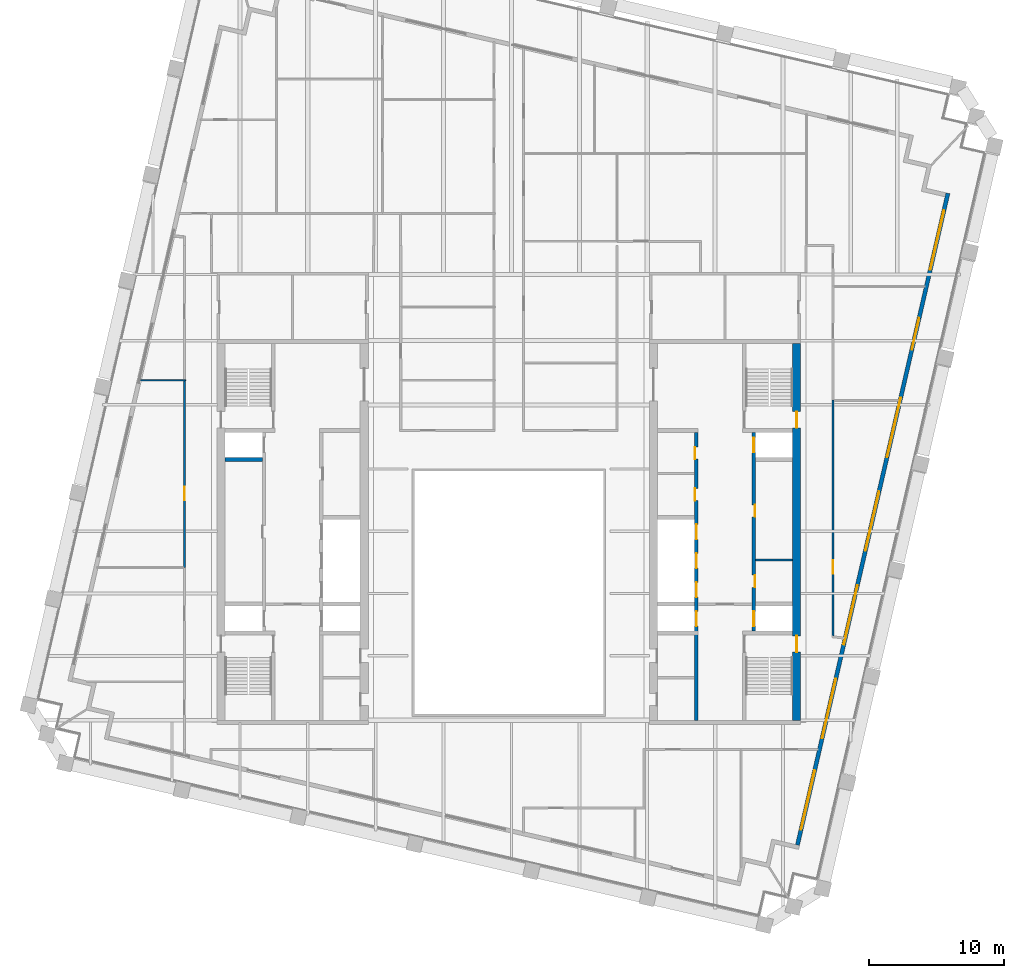
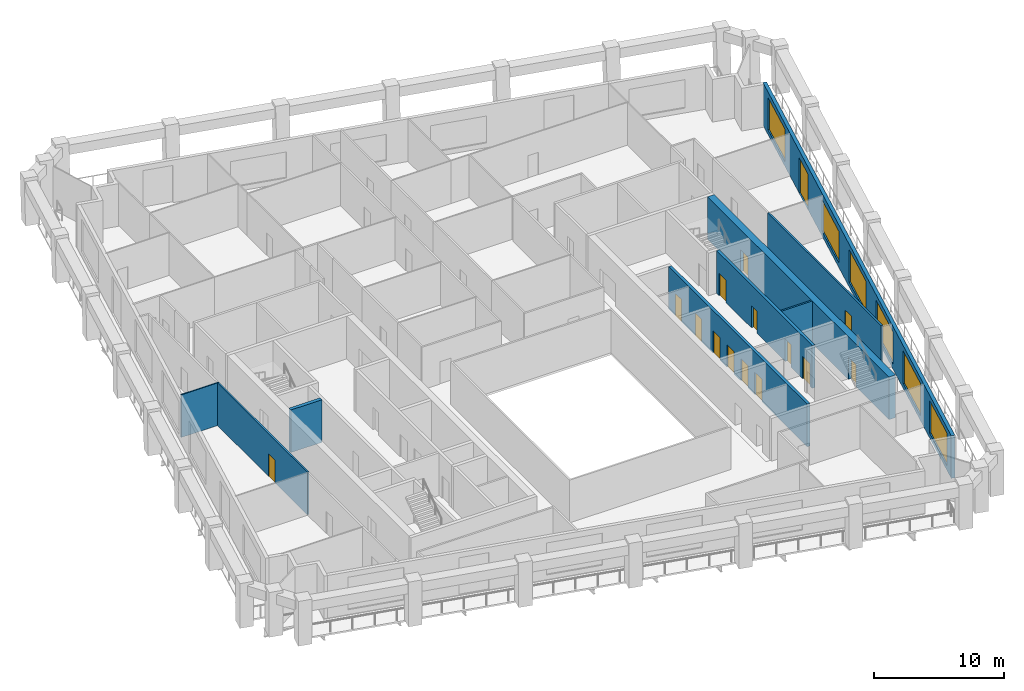
# One storey, part 6 of 10: 15 doors, 9 walls, 6 windows, 21 openings.
"""IFC4 building model written with IfcOpenShell, lengths in metres."""

from ifc_helpers import new_model, si_unit, direction, frame, frame_2d, origin, place, context, subcontext, project, spatial, rectangle, extrude, material, layer, layer_set, type_object, element, fill, save


model = new_model("IFC4")

# Units and contexts
model_context = context("Model", 3, precision=1e-05, world=origin(), true_north=direction((0.0, 1.0)))
body_context = subcontext(model_context, "Body", "Model", "MODEL_VIEW")
ifc_project = project(units=[si_unit("LENGTHUNIT", "METRE"), si_unit("AREAUNIT", "SQUARE_METRE"), si_unit("VOLUMEUNIT", "CUBIC_METRE"), si_unit("PLANEANGLEUNIT", "RADIAN"), si_unit("MASSUNIT", "GRAM", prefix="KILO")], contexts=[model_context])

# Site, building, storey
site_placement = place(None, origin())
site = spatial("IfcSite", under=ifc_project, at=site_placement, CompositionType="ELEMENT")
building_placement = place(site_placement, origin())
building = spatial("IfcBuilding", under=site, at=building_placement, Name="Ogive Exchange Tower", CompositionType="ELEMENT")
storey_placement = place(building_placement, frame((0.0, 0.0, 255.60009765625)))
storey = spatial("IfcBuildingStorey", under=building, at=storey_placement, Name="L55", CompositionType="ELEMENT", Elevation=255.60009765625)

# Wall
ifc_material_1 = material(Name="Gypsum board partition")
ifc_layer_1 = layer(ifc_material_1, 0.14990234375)
ifc_layer_set_1 = layer_set([ifc_layer_1], Name="Core room partition 150 gypsum")
wall_type_1 = type_object("IfcWallType", Name="Core room partition 150 gypsum", PredefinedType="PARTITIONING", material=ifc_layer_set_1)
wall_1_placement = place(storey_placement, frame((18.25, 9.39990234375, 0.0), z_axis=(0.0, 0.0, 1.0), x_axis=(1.0, 0.0, 0.0)))
element("IfcWall", 1, at=wall_1_placement, inside=storey, type_object=wall_type_1, Name="E row A bay partition 1-1", PredefinedType="PARTITIONING", context=body_context, shape_type="SweptSolid", body=[
    extrude(rectangle(XDim=2.75, YDim=0.14990234375, at=frame_2d((1.375, 0.0))), origin(), (0.0, 0.0, 1.0), 4.0),
])

# Wall, opening, door
ifc_material_2 = material(Name="Fire partition EI 60 150")
ifc_layer_2 = layer(ifc_material_2, 0.14990234375)
ifc_layer_set_2 = layer_set([ifc_layer_2], Name="Fire partition EI 60 150")
wall_type_2 = type_object("IfcWallType", Name="Fire partition EI 60 150", PredefinedType="PARTITIONING", material=ifc_layer_set_2)
wall_2_placement = place(storey_placement, frame((-24.0, 8.860107421875, 0.0), z_axis=(0.0, 0.0, 1.0), x_axis=(0.0, 1.0, 0.0)))
wall_2 = element("IfcWall", 2, at=wall_2_placement, inside=storey, type_object=wall_type_2, Name="L55-PWL-007", PredefinedType="PARTITIONING", context=body_context, shape_type="SweptSolid", body=[
    extrude(rectangle(XDim=13.809814453125, YDim=0.14990234375, at=frame_2d((6.90478515625, 0.0))), origin(), (0.0, 0.0, 1.0), 4.0),
])
opening_1_placement = place(wall_2_placement, frame((4.9599609375, 0.0, 0.0)))
opening_1 = element("IfcOpeningElement", 3, at=opening_1_placement, cuts=wall_2, Name="Opening L55-I01", PredefinedType="OPENING", context=body_context, shape_type="SweptSolid", body=[
    extrude(rectangle(XDim=1.0, YDim=2.10009765625, at=frame_2d((0.5, 1.050048828125))), frame((0.0, 0.0849609375, 0.0), z_axis=(0.0, -1.0, 0.0), x_axis=(1.0, 0.0, 0.0)), (0.0, 0.0, 1.0), 0.169921875),
])
ifc_material_3 = material(Name="Fire door FD 30S 1000 x 2100")
door_type_1 = type_object("IfcDoorType", Name="Fire door FD 30S 1000 x 2100", OperationType="NOTDEFINED", PredefinedType="DOOR", material=ifc_material_3)
door_1_placement = place(opening_1_placement, origin())
door_1 = element("IfcDoor", 4, at=door_1_placement, inside=storey, type_object=door_type_1, Name="L55-IDR-001", ObjectType="DT3", OperationType="SINGLE_SWING_RIGHT", OverallHeight=2.10009765625, OverallWidth=1.0, PredefinedType="DOOR", context=body_context, shape_type="SweptSolid", body=[
    extrude(rectangle(XDim=1.0, YDim=2.10009765625, at=frame_2d((0.5, 1.050048828125))), frame((0.0, 0.02490234375, 0.0), z_axis=(0.0, -1.0, 0.0), x_axis=(1.0, 0.0, 0.0)), (0.0, 0.0, 1.0), 0.050048828125),
])
fill(opening_1, door_1)

wall_3_placement = place(storey_placement, frame((24.0, 21.260009765625, 0.0), z_axis=(0.0, 0.0, 1.0), x_axis=(0.0, -1.0, 0.0)))
wall_3 = element("IfcWall", 5, at=wall_3_placement, inside=storey, type_object=wall_type_2, Name="L55-PWL-074", PredefinedType="PARTITIONING", context=body_context, shape_type="SweptSolid", body=[
    extrude(rectangle(XDim=17.455078125, YDim=0.14990234375, at=frame_2d((8.7275390625, 0.0))), origin(), (0.0, 0.0, 1.0), 4.0),
])
opening_2_placement = place(wall_3_placement, frame((11.8798828125, 0.0, 0.0)))
opening_2 = element("IfcOpeningElement", 6, at=opening_2_placement, cuts=wall_3, Name="Opening L55-I22", PredefinedType="OPENING", context=body_context, shape_type="SweptSolid", body=[
    extrude(rectangle(XDim=1.0, YDim=2.10009765625, at=frame_2d((0.5, 1.050048828125))), frame((0.0, 0.0849609375, 0.0), z_axis=(0.0, -1.0, 0.0), x_axis=(1.0, 0.0, 0.0)), (0.0, 0.0, 1.0), 0.169921875),
])
door_2_placement = place(opening_2_placement, origin())
door_2 = element("IfcDoor", 7, at=door_2_placement, inside=storey, type_object=door_type_1, Name="L55-IDR-022", ObjectType="DT3", OperationType="SINGLE_SWING_RIGHT", OverallHeight=2.10009765625, OverallWidth=1.0, PredefinedType="DOOR", context=body_context, shape_type="SweptSolid", body=[
    extrude(rectangle(XDim=1.0, YDim=2.10009765625, at=frame_2d((0.5, 1.050048828125))), frame((0.0, 0.02490234375, 0.0), z_axis=(0.0, -1.0, 0.0), x_axis=(1.0, 0.0, 0.0)), (0.0, 0.0, 1.0), 0.050048828125),
])
fill(opening_2, door_2)

# Wall, openings, door, windows
ifc_material_4 = material(Name="Precast concrete C40/50", Category="concrete")
ifc_layer_3 = layer(ifc_material_4, 0.300048828125)
ifc_layer_set_3 = layer_set([ifc_layer_3], Name="Limestone-faced wall 300")
wall_type_3 = type_object("IfcWallType", Name="Limestone-faced wall 300", PredefinedType="STANDARD", material=ifc_layer_set_3)
wall_4_placement = place(storey_placement, frame((21.35888671875, -11.67822265625, 0.0), z_axis=(0.0, 0.0, 1.0), x_axis=(0.224949198343, 0.974370493275, 0.0)))
wall_4 = element("IfcWall", 8, at=wall_4_placement, inside=storey, type_object=wall_type_3, Name="External wall E2", PredefinedType="STANDARD", context=body_context, shape_type="SweptSolid", body=[
    extrude(rectangle(XDim=49.5, YDim=0.300048828125, at=frame_2d((24.75, 0.0))), origin(), (0.0, 0.0, 1.0), 4.0),
])
opening_3_placement = place(wall_4_placement, frame((1.156982421875, 0.0, 0.449951171875)))
opening_3 = element("IfcOpeningElement", 9, at=opening_3_placement, cuts=wall_4, Name="Opening W1", PredefinedType="OPENING", context=body_context, shape_type="SweptSolid", body=[
    extrude(rectangle(XDim=4.5, YDim=3.050048828125, at=frame_2d((2.25, 1.52490234375))), frame((0.0, 0.159912109375, 0.0), z_axis=(0.0, -1.0, 0.0), x_axis=(1.0, 0.0, 0.0)), (0.0, 0.0, 1.0), 0.320068359375),
])
opening_4_placement = place(wall_4_placement, frame((8.121337890625, 0.0, 0.449951171875)))
opening_4 = element("IfcOpeningElement", 10, at=opening_4_placement, cuts=wall_4, Name="Opening W1", PredefinedType="OPENING", context=body_context, shape_type="SweptSolid", body=[
    extrude(rectangle(XDim=4.5, YDim=3.050048828125, at=frame_2d((2.25, 1.52490234375))), frame((0.0, 0.159912109375, 0.0), z_axis=(0.0, -1.0, 0.0), x_axis=(1.0, 0.0, 0.0)), (0.0, 0.0, 1.0), 0.320068359375),
])
opening_5_placement = place(wall_4_placement, frame((15.235595703125, 0.0, 0.449951171875)))
opening_5 = element("IfcOpeningElement", 11, at=opening_5_placement, cuts=wall_4, Name="Opening W1", PredefinedType="OPENING", context=body_context, shape_type="SweptSolid", body=[
    extrude(rectangle(XDim=4.5, YDim=3.050048828125, at=frame_2d((2.25, 1.52490234375))), frame((0.0, 0.159912109375, 0.0), z_axis=(0.0, -1.0, 0.0), x_axis=(1.0, 0.0, 0.0)), (0.0, 0.0, 1.0), 0.320068359375),
])
opening_6_placement = place(wall_4_placement, frame((22.35009765625, 0.0, 0.449951171875)))
opening_6 = element("IfcOpeningElement", 12, at=opening_6_placement, cuts=wall_4, Name="Opening W1", PredefinedType="OPENING", context=body_context, shape_type="SweptSolid", body=[
    extrude(rectangle(XDim=4.5, YDim=3.050048828125, at=frame_2d((2.25, 1.52490234375))), frame((0.0, 0.159912109375, 0.0), z_axis=(0.0, -1.0, 0.0), x_axis=(1.0, 0.0, 0.0)), (0.0, 0.0, 1.0), 0.320068359375),
])
opening_7_placement = place(wall_4_placement, frame((29.464111328125, 0.0, 0.449951171875)))
opening_7 = element("IfcOpeningElement", 13, at=opening_7_placement, cuts=wall_4, Name="Opening W1B", PredefinedType="OPENING", context=body_context, shape_type="SweptSolid", body=[
    extrude(rectangle(XDim=4.5, YDim=2.949951171875, at=frame_2d((2.25, 1.47509765625))), frame((0.0, 0.159912109375, 0.0), z_axis=(0.0, -1.0, 0.0), x_axis=(1.0, 0.0, 0.0)), (0.0, 0.0, 1.0), 0.320068359375),
])
opening_8_placement = place(wall_4_placement, frame((37.62841796875, 0.0, 0.0)))
opening_8 = element("IfcOpeningElement", 14, at=opening_8_placement, cuts=wall_4, Name="Opening D1C", PredefinedType="OPENING", context=body_context, shape_type="SweptSolid", body=[
    extrude(rectangle(XDim=2.39990234375, YDim=3.324951171875, at=frame_2d((1.199951171875, 1.66259765625))), frame((0.0, 0.159912109375, 0.0), z_axis=(0.0, -1.0, 0.0), x_axis=(1.0, 0.0, 0.0)), (0.0, 0.0, 1.0), 0.320068359375),
])
opening_9_placement = place(wall_4_placement, frame((43.69287109375, 0.0, 0.449951171875)))
opening_9 = element("IfcOpeningElement", 15, at=opening_9_placement, cuts=wall_4, Name="Opening W1", PredefinedType="OPENING", context=body_context, shape_type="SweptSolid", body=[
    extrude(rectangle(XDim=4.5, YDim=3.050048828125, at=frame_2d((2.25, 1.52490234375))), frame((0.0, 0.159912109375, 0.0), z_axis=(0.0, -1.0, 0.0), x_axis=(1.0, 0.0, 0.0)), (0.0, 0.0, 1.0), 0.320068359375),
])
ifc_material_5 = material(Name="Clear glass in bronze frame", Category="glass")
door_type_2 = type_object("IfcDoorType", Name="Sliding loggia door 2400 x 3325", OperationType="DOUBLE_DOOR_SLIDING", PredefinedType="DOOR", material=ifc_material_5)
door_3_placement = place(opening_8_placement, origin())
door_3 = element("IfcDoor", 16, at=door_3_placement, inside=storey, type_object=door_type_2, Name="Loggia door E05", OperationType="DOUBLE_DOOR_SLIDING", OverallHeight=3.324951171875, OverallWidth=2.39990234375, PredefinedType="DOOR", context=body_context, shape_type="SweptSolid", body=[
    extrude(rectangle(XDim=2.39990234375, YDim=3.324951171875, at=frame_2d((1.199951171875, 1.66259765625))), frame((0.0, 0.02490234375, 0.0), z_axis=(0.0, -1.0, 0.0), x_axis=(1.0, 0.0, 0.0)), (0.0, 0.0, 1.0), 0.050048828125),
])
fill(opening_8, door_3)
window_type_1 = type_object("IfcWindowType", Name="Twin lancet window 4500 x 2950", PartitioningType="DOUBLE_PANEL_VERTICAL", PredefinedType="WINDOW", material=ifc_material_5)
window_1_placement = place(opening_7_placement, origin())
window_1 = element("IfcWindow", 17, at=window_1_placement, inside=storey, type_object=window_type_1, Name="Window E04", OverallHeight=2.949951171875, OverallWidth=4.5, PartitioningType="DOUBLE_PANEL_VERTICAL", PredefinedType="WINDOW", context=body_context, shape_type="SweptSolid", body=[
    extrude(rectangle(XDim=4.5, YDim=2.949951171875, at=frame_2d((2.25, 1.47509765625))), frame((0.0, 0.030029296875, 0.0), z_axis=(0.0, -1.0, 0.0), x_axis=(1.0, 0.0, 0.0)), (0.0, 0.0, 1.0), 0.06005859375),
])
fill(opening_7, window_1)
window_type_2 = type_object("IfcWindowType", Name="Twin lancet window 4500 x 3050", PartitioningType="DOUBLE_PANEL_VERTICAL", PredefinedType="WINDOW", material=ifc_material_5)
window_2_placement = place(opening_3_placement, origin())
window_2 = element("IfcWindow", 18, at=window_2_placement, inside=storey, type_object=window_type_2, Name="Window E00", OverallHeight=3.050048828125, OverallWidth=4.5, PartitioningType="DOUBLE_PANEL_VERTICAL", PredefinedType="WINDOW", context=body_context, shape_type="SweptSolid", body=[
    extrude(rectangle(XDim=4.5, YDim=3.050048828125, at=frame_2d((2.25, 1.52490234375))), frame((0.0, 0.030029296875, 0.0), z_axis=(0.0, -1.0, 0.0), x_axis=(1.0, 0.0, 0.0)), (0.0, 0.0, 1.0), 0.06005859375),
])
fill(opening_3, window_2)
window_3_placement = place(opening_4_placement, origin())
window_3 = element("IfcWindow", 19, at=window_3_placement, inside=storey, type_object=window_type_2, Name="Window E01", OverallHeight=3.050048828125, OverallWidth=4.5, PartitioningType="DOUBLE_PANEL_VERTICAL", PredefinedType="WINDOW", context=body_context, shape_type="SweptSolid", body=[
    extrude(rectangle(XDim=4.5, YDim=3.050048828125, at=frame_2d((2.25, 1.52490234375))), frame((0.0, 0.030029296875, 0.0), z_axis=(0.0, -1.0, 0.0), x_axis=(1.0, 0.0, 0.0)), (0.0, 0.0, 1.0), 0.06005859375),
])
fill(opening_4, window_3)
window_4_placement = place(opening_5_placement, origin())
window_4 = element("IfcWindow", 20, at=window_4_placement, inside=storey, type_object=window_type_2, Name="Window E02", OverallHeight=3.050048828125, OverallWidth=4.5, PartitioningType="DOUBLE_PANEL_VERTICAL", PredefinedType="WINDOW", context=body_context, shape_type="SweptSolid", body=[
    extrude(rectangle(XDim=4.5, YDim=3.050048828125, at=frame_2d((2.25, 1.52490234375))), frame((0.0, 0.030029296875, 0.0), z_axis=(0.0, -1.0, 0.0), x_axis=(1.0, 0.0, 0.0)), (0.0, 0.0, 1.0), 0.06005859375),
])
fill(opening_5, window_4)
window_5_placement = place(opening_6_placement, origin())
window_5 = element("IfcWindow", 21, at=window_5_placement, inside=storey, type_object=window_type_2, Name="Window E03", OverallHeight=3.050048828125, OverallWidth=4.5, PartitioningType="DOUBLE_PANEL_VERTICAL", PredefinedType="WINDOW", context=body_context, shape_type="SweptSolid", body=[
    extrude(rectangle(XDim=4.5, YDim=3.050048828125, at=frame_2d((2.25, 1.52490234375))), frame((0.0, 0.030029296875, 0.0), z_axis=(0.0, -1.0, 0.0), x_axis=(1.0, 0.0, 0.0)), (0.0, 0.0, 1.0), 0.06005859375),
])
fill(opening_6, window_5)
window_6_placement = place(opening_9_placement, origin())
window_6 = element("IfcWindow", 22, at=window_6_placement, inside=storey, type_object=window_type_2, Name="Window E06", OverallHeight=3.050048828125, OverallWidth=4.5, PartitioningType="DOUBLE_PANEL_VERTICAL", PredefinedType="WINDOW", context=body_context, shape_type="SweptSolid", body=[
    extrude(rectangle(XDim=4.5, YDim=3.050048828125, at=frame_2d((2.25, 1.52490234375))), frame((0.0, 0.030029296875, 0.0), z_axis=(0.0, -1.0, 0.0), x_axis=(1.0, 0.0, 0.0)), (0.0, 0.0, 1.0), 0.06005859375),
])
fill(opening_9, window_6)

# Wall
ifc_material_6 = material(Name="Partition 100 gypsum")
ifc_layer_4 = layer(ifc_material_6, 0.10009765625)
ifc_layer_set_4 = layer_set([ifc_layer_4], Name="Partition 100 gypsum")
wall_type_4 = type_object("IfcWallType", Name="Partition 100 gypsum", PredefinedType="PARTITIONING", material=ifc_layer_set_4)
wall_5_placement = place(storey_placement, frame((-27.280029296875, 22.719970703125, 0.0), z_axis=(0.0, 0.0, 1.0), x_axis=(1.0, 0.0, 0.0)))
element("IfcWall", 23, at=wall_5_placement, inside=storey, type_object=wall_type_4, Name="L55-PWL-001", PredefinedType="PARTITIONING", context=body_context, shape_type="SweptSolid", body=[
    extrude(rectangle(XDim=3.35498046875, YDim=0.10009765625, at=frame_2d((1.677490234375, 0.0))), origin(), (0.0, 0.0, 1.0), 4.0),
])

# Wall, openings, doors
ifc_material_7 = material(Name="Concrete C70/85", Category="concrete")
ifc_layer_5 = layer(ifc_material_7, 0.25)
ifc_layer_set_5 = layer_set([ifc_layer_5], Name="RC core wall 250 C70/85")
wall_type_5 = type_object("IfcWallType", Name="RC core wall 250 C70/85", PredefinedType="SHEAR", material=ifc_layer_set_5)
wall_6_placement = place(storey_placement, frame((18.125, 4.14990234375, 0.0), z_axis=(0.0, 0.0, 1.0), x_axis=(0.0, 1.0, 0.0)))
wall_6 = element("IfcWall", 24, at=wall_6_placement, inside=storey, type_object=wall_type_5, Name="E row A front wall", PredefinedType="SHEAR", context=body_context, shape_type="SweptSolid", body=[
    extrude(rectangle(XDim=14.7001953125, YDim=0.25, at=frame_2d((7.35009765625, 0.0))), origin(), (0.0, 0.0, 1.0), 4.0),
])
opening_10_placement = place(wall_6_placement, frame((3.246337890625, 0.0, 0.0)))
opening_10 = element("IfcOpeningElement", 25, at=opening_10_placement, cuts=wall_6, Name="Opening L55-C19", PredefinedType="OPENING", context=body_context, shape_type="SweptSolid", body=[
    extrude(rectangle(XDim=0.89990234375, YDim=2.10009765625, at=frame_2d((0.449951171875, 1.050048828125))), frame((0.0, 0.135009765625, 0.0), z_axis=(0.0, -1.0, 0.0), x_axis=(1.0, 0.0, 0.0)), (0.0, 0.0, 1.0), 0.27001953125),
])
opening_11_placement = place(wall_6_placement, frame((8.45361328125, 0.0, 0.0)))
opening_11 = element("IfcOpeningElement", 26, at=opening_11_placement, cuts=wall_6, Name="Opening L55-C20", PredefinedType="OPENING", context=body_context, shape_type="SweptSolid", body=[
    extrude(rectangle(XDim=0.89990234375, YDim=2.10009765625, at=frame_2d((0.449951171875, 1.050048828125))), frame((0.0, 0.135009765625, 0.0), z_axis=(0.0, -1.0, 0.0), x_axis=(1.0, 0.0, 0.0)), (0.0, 0.0, 1.0), 0.27001953125),
])
opening_12_placement = place(wall_6_placement, frame((0.371337890625, 0.0, 0.0)))
opening_12 = element("IfcOpeningElement", 27, at=opening_12_placement, cuts=wall_6, Name="Opening L55-C21", PredefinedType="OPENING", context=body_context, shape_type="SweptSolid", body=[
    extrude(rectangle(XDim=1.10009765625, YDim=2.10009765625, at=frame_2d((0.550048828125, 1.050048828125))), frame((0.0, 0.135009765625, 0.0), z_axis=(0.0, -1.0, 0.0), x_axis=(1.0, 0.0, 0.0)), (0.0, 0.0, 1.0), 0.27001953125),
])
opening_13_placement = place(wall_6_placement, frame((13.228515625, 0.0, 0.0)))
opening_13 = element("IfcOpeningElement", 28, at=opening_13_placement, cuts=wall_6, Name="Opening L55-C22", PredefinedType="OPENING", context=body_context, shape_type="SweptSolid", body=[
    extrude(rectangle(XDim=1.10009765625, YDim=2.10009765625, at=frame_2d((0.550048828125, 1.050048828125))), frame((0.0, 0.135009765625, 0.0), z_axis=(0.0, -1.0, 0.0), x_axis=(1.0, 0.0, 0.0)), (0.0, 0.0, 1.0), 0.27001953125),
])
ifc_material_8 = material(Name="Timber fire door", Category="wood")
door_type_3 = type_object("IfcDoorType", Name="Core room door FD30S 900 x 2100", OperationType="NOTDEFINED", PredefinedType="DOOR", material=ifc_material_8)
door_4_placement = place(opening_11_placement, frame((0.89990234375, -0.2001953125, 0.0), z_axis=(0.0, 0.0, 1.0), x_axis=(-1.0, 0.0, 0.0)))
door_4 = element("IfcDoor", 29, at=door_4_placement, inside=storey, type_object=door_type_3, Name="Core room door", ObjectType="CD6", OperationType="SINGLE_SWING_LEFT", OverallHeight=2.10009765625, OverallWidth=0.89990234375, PredefinedType="DOOR", context=body_context, shape_type="SweptSolid", body=[
    extrude(rectangle(XDim=0.89990234375, YDim=2.10009765625, at=frame_2d((0.449951171875, 1.050048828125))), frame((0.0, -0.0751953125, 0.0), z_axis=(0.0, -1.0, 0.0), x_axis=(1.0, 0.0, 0.0)), (0.0, 0.0, 1.0), 0.050048828125),
])
fill(opening_11, door_4)
ifc_material_9 = material(Name="Stainless steel", Category="steel")
door_type_4 = type_object("IfcDoorType", Name="Lift landing door FD90 1100 x 2100", OperationType="SLIDING_TO_LEFT", PredefinedType="DOOR", material=ifc_material_9)
door_5_placement = place(opening_12_placement, origin())
door_5 = element("IfcDoor", 30, at=door_5_placement, inside=storey, type_object=door_type_4, Name="Lift landing door FF2", ObjectType="LD", OperationType="SLIDING_TO_LEFT", OverallHeight=2.10009765625, OverallWidth=1.10009765625, PredefinedType="DOOR", context=body_context, shape_type="SweptSolid", body=[
    extrude(rectangle(XDim=1.10009765625, YDim=2.10009765625, at=frame_2d((0.550048828125, 1.050048828125))), frame((0.0, 0.02490234375, 0.0), z_axis=(0.0, -1.0, 0.0), x_axis=(1.0, 0.0, 0.0)), (0.0, 0.0, 1.0), 0.050048828125),
])
fill(opening_12, door_5)
door_6_placement = place(opening_13_placement, origin())
door_6 = element("IfcDoor", 31, at=door_6_placement, inside=storey, type_object=door_type_4, Name="Lift landing door E-SH2", ObjectType="LD", OperationType="SLIDING_TO_LEFT", OverallHeight=2.10009765625, OverallWidth=1.10009765625, PredefinedType="DOOR", context=body_context, shape_type="SweptSolid", body=[
    extrude(rectangle(XDim=1.10009765625, YDim=2.10009765625, at=frame_2d((0.550048828125, 1.050048828125))), frame((0.0, 0.02490234375, 0.0), z_axis=(0.0, -1.0, 0.0), x_axis=(1.0, 0.0, 0.0)), (0.0, 0.0, 1.0), 0.050048828125),
])
fill(opening_13, door_6)
ifc_material_10 = material(Name="Steel fire door", Category="steel")
door_type_5 = type_object("IfcDoorType", Name="Riser door FD60 900 x 2100", OperationType="NOTDEFINED", PredefinedType="DOOR", material=ifc_material_10)
door_7_placement = place(opening_10_placement, frame((0.89990234375, -0.2001953125, 0.0), z_axis=(0.0, 0.0, 1.0), x_axis=(-1.0, 0.0, 0.0)))
door_7 = element("IfcDoor", 32, at=door_7_placement, inside=storey, type_object=door_type_5, Name="Riser door", ObjectType="CD2", OperationType="SINGLE_SWING_RIGHT", OverallHeight=2.10009765625, OverallWidth=0.89990234375, PredefinedType="DOOR", context=body_context, shape_type="SweptSolid", body=[
    extrude(rectangle(XDim=0.89990234375, YDim=2.10009765625, at=frame_2d((0.449951171875, 1.050048828125))), frame((0.0, -0.0751953125, 0.0), z_axis=(0.0, -1.0, 0.0), x_axis=(1.0, 0.0, 0.0)), (0.0, 0.0, 1.0), 0.050048828125),
])
fill(opening_10, door_7)

wall_7_placement = place(storey_placement, frame((13.875, -2.449951171875, 0.0), z_axis=(0.0, 0.0, 1.0), x_axis=(0.0, 1.0, 0.0)))
wall_7 = element("IfcWall", 33, at=wall_7_placement, inside=storey, type_object=wall_type_5, Name="E row B front wall", PredefinedType="SHEAR", context=body_context, shape_type="SweptSolid", body=[
    extrude(rectangle(XDim=21.300048828125, YDim=0.25, at=frame_2d((10.64990234375, 0.0))), origin(), (0.0, 0.0, 1.0), 4.0),
])
opening_14_placement = place(wall_7_placement, frame((16.2607421875, 0.0, 0.0)))
opening_14 = element("IfcOpeningElement", 34, at=opening_14_placement, cuts=wall_7, Name="Opening L55-C23", PredefinedType="OPENING", context=body_context, shape_type="SweptSolid", body=[
    extrude(rectangle(XDim=0.89990234375, YDim=2.10009765625, at=frame_2d((0.449951171875, 1.050048828125))), frame((0.0, 0.135009765625, 0.0), z_axis=(0.0, -1.0, 0.0), x_axis=(1.0, 0.0, 0.0)), (0.0, 0.0, 1.0), 0.27001953125),
])
opening_15_placement = place(wall_7_placement, frame((19.324951171875, 0.0, 0.0)))
opening_15 = element("IfcOpeningElement", 35, at=opening_15_placement, cuts=wall_7, Name="Opening L55-C24", PredefinedType="OPENING", context=body_context, shape_type="SweptSolid", body=[
    extrude(rectangle(XDim=0.89990234375, YDim=2.10009765625, at=frame_2d((0.449951171875, 1.050048828125))), frame((0.0, 0.135009765625, 0.0), z_axis=(0.0, -1.0, 0.0), x_axis=(1.0, 0.0, 0.0)), (0.0, 0.0, 1.0), 0.27001953125),
])
opening_16_placement = place(wall_7_placement, frame((6.971435546875, 0.0, 0.0)))
opening_16 = element("IfcOpeningElement", 36, at=opening_16_placement, cuts=wall_7, Name="Opening L55-C25", PredefinedType="OPENING", context=body_context, shape_type="SweptSolid", body=[
    extrude(rectangle(XDim=1.10009765625, YDim=2.10009765625, at=frame_2d((0.550048828125, 1.050048828125))), frame((0.0, 0.135009765625, 0.0), z_axis=(0.0, -1.0, 0.0), x_axis=(1.0, 0.0, 0.0)), (0.0, 0.0, 1.0), 0.27001953125),
])
opening_17_placement = place(wall_7_placement, frame((9.1142578125, 0.0, 0.0)))
opening_17 = element("IfcOpeningElement", 37, at=opening_17_placement, cuts=wall_7, Name="Opening L55-C26", PredefinedType="OPENING", context=body_context, shape_type="SweptSolid", body=[
    extrude(rectangle(XDim=1.10009765625, YDim=2.10009765625, at=frame_2d((0.550048828125, 1.050048828125))), frame((0.0, 0.135009765625, 0.0), z_axis=(0.0, -1.0, 0.0), x_axis=(1.0, 0.0, 0.0)), (0.0, 0.0, 1.0), 0.27001953125),
])
opening_18_placement = place(wall_7_placement, frame((11.257080078125, 0.0, 0.0)))
opening_18 = element("IfcOpeningElement", 38, at=opening_18_placement, cuts=wall_7, Name="Opening L55-C27", PredefinedType="OPENING", context=body_context, shape_type="SweptSolid", body=[
    extrude(rectangle(XDim=1.10009765625, YDim=2.10009765625, at=frame_2d((0.550048828125, 1.050048828125))), frame((0.0, 0.135009765625, 0.0), z_axis=(0.0, -1.0, 0.0), x_axis=(1.0, 0.0, 0.0)), (0.0, 0.0, 1.0), 0.27001953125),
])
opening_19_placement = place(wall_7_placement, frame((13.39990234375, 0.0, 0.0)))
opening_19 = element("IfcOpeningElement", 39, at=opening_19_placement, cuts=wall_7, Name="Opening L55-C28", PredefinedType="OPENING", context=body_context, shape_type="SweptSolid", body=[
    extrude(rectangle(XDim=1.10009765625, YDim=2.10009765625, at=frame_2d((0.550048828125, 1.050048828125))), frame((0.0, 0.135009765625, 0.0), z_axis=(0.0, -1.0, 0.0), x_axis=(1.0, 0.0, 0.0)), (0.0, 0.0, 1.0), 0.27001953125),
])
door_8_placement = place(opening_14_placement, origin())
door_8 = element("IfcDoor", 40, at=door_8_placement, inside=storey, type_object=door_type_3, Name="Core room door", ObjectType="CD6", OperationType="SINGLE_SWING_RIGHT", OverallHeight=2.10009765625, OverallWidth=0.89990234375, PredefinedType="DOOR", context=body_context, shape_type="SweptSolid", body=[
    extrude(rectangle(XDim=0.89990234375, YDim=2.10009765625, at=frame_2d((0.449951171875, 1.050048828125))), frame((0.0, 0.125, 0.0), z_axis=(0.0, -1.0, 0.0), x_axis=(1.0, 0.0, 0.0)), (0.0, 0.0, 1.0), 0.050048828125),
])
fill(opening_14, door_8)
door_9_placement = place(opening_16_placement, origin())
door_9 = element("IfcDoor", 41, at=door_9_placement, inside=storey, type_object=door_type_4, Name="Lift landing door SV2", ObjectType="LD", OperationType="SLIDING_TO_LEFT", OverallHeight=2.10009765625, OverallWidth=1.10009765625, PredefinedType="DOOR", context=body_context, shape_type="SweptSolid", body=[
    extrude(rectangle(XDim=1.10009765625, YDim=2.10009765625, at=frame_2d((0.550048828125, 1.050048828125))), frame((0.0, 0.02490234375, 0.0), z_axis=(0.0, -1.0, 0.0), x_axis=(1.0, 0.0, 0.0)), (0.0, 0.0, 1.0), 0.050048828125),
])
fill(opening_16, door_9)
door_10_placement = place(opening_17_placement, origin())
door_10 = element("IfcDoor", 42, at=door_10_placement, inside=storey, type_object=door_type_4, Name="Lift landing door E-M1", ObjectType="LD", OperationType="SLIDING_TO_LEFT", OverallHeight=2.10009765625, OverallWidth=1.10009765625, PredefinedType="DOOR", context=body_context, shape_type="SweptSolid", body=[
    extrude(rectangle(XDim=1.10009765625, YDim=2.10009765625, at=frame_2d((0.550048828125, 1.050048828125))), frame((0.0, 0.02490234375, 0.0), z_axis=(0.0, -1.0, 0.0), x_axis=(1.0, 0.0, 0.0)), (0.0, 0.0, 1.0), 0.050048828125),
])
fill(opening_17, door_10)
door_11_placement = place(opening_18_placement, origin())
door_11 = element("IfcDoor", 43, at=door_11_placement, inside=storey, type_object=door_type_4, Name="Lift landing door E-M2", ObjectType="LD", OperationType="SLIDING_TO_LEFT", OverallHeight=2.10009765625, OverallWidth=1.10009765625, PredefinedType="DOOR", context=body_context, shape_type="SweptSolid", body=[
    extrude(rectangle(XDim=1.10009765625, YDim=2.10009765625, at=frame_2d((0.550048828125, 1.050048828125))), frame((0.0, 0.02490234375, 0.0), z_axis=(0.0, -1.0, 0.0), x_axis=(1.0, 0.0, 0.0)), (0.0, 0.0, 1.0), 0.050048828125),
])
fill(opening_18, door_11)
door_12_placement = place(opening_19_placement, origin())
door_12 = element("IfcDoor", 44, at=door_12_placement, inside=storey, type_object=door_type_4, Name="Lift landing door E-M3", ObjectType="LD", OperationType="SLIDING_TO_LEFT", OverallHeight=2.10009765625, OverallWidth=1.10009765625, PredefinedType="DOOR", context=body_context, shape_type="SweptSolid", body=[
    extrude(rectangle(XDim=1.10009765625, YDim=2.10009765625, at=frame_2d((0.550048828125, 1.050048828125))), frame((0.0, 0.02490234375, 0.0), z_axis=(0.0, -1.0, 0.0), x_axis=(1.0, 0.0, 0.0)), (0.0, 0.0, 1.0), 0.050048828125),
])
fill(opening_19, door_12)
door_13_placement = place(opening_15_placement, origin())
door_13 = element("IfcDoor", 45, at=door_13_placement, inside=storey, type_object=door_type_5, Name="Riser door", ObjectType="CD2", OperationType="SINGLE_SWING_LEFT", OverallHeight=2.10009765625, OverallWidth=0.89990234375, PredefinedType="DOOR", context=body_context, shape_type="SweptSolid", body=[
    extrude(rectangle(XDim=0.89990234375, YDim=2.10009765625, at=frame_2d((0.449951171875, 1.050048828125))), frame((0.0, 0.125, 0.0), z_axis=(0.0, -1.0, 0.0), x_axis=(1.0, 0.0, 0.0)), (0.0, 0.0, 1.0), 0.050048828125),
])
fill(opening_15, door_13)

# Wall
ifc_layer_6 = layer(ifc_material_7, 0.300048828125)
ifc_layer_set_6 = layer_set([ifc_layer_6], Name="RC core wall 300 C70/85")
wall_type_6 = type_object("IfcWallType", Name="RC core wall 300 C70/85", PredefinedType="SHEAR", material=ifc_layer_set_6)
wall_8_placement = place(storey_placement, frame((-21.0, 16.857177734375, 0.0), z_axis=(0.0, 0.0, 1.0), x_axis=(1.0, 0.0, 0.0)))
element("IfcWall", 46, at=wall_8_placement, inside=storey, type_object=wall_type_6, Name="W row A divider 6", PredefinedType="SHEAR", context=body_context, shape_type="SweptSolid", body=[
    extrude(rectangle(XDim=2.75, YDim=0.300048828125, at=frame_2d((1.375, 0.0))), origin(), (0.0, 0.0, 1.0), 4.0),
])

# Wall, openings, doors
ifc_layer_7 = layer(ifc_material_7, 0.60009765625)
ifc_layer_set_7 = layer_set([ifc_layer_7], Name="RC core wall 600 C70/85")
wall_type_7 = type_object("IfcWallType", Name="RC core wall 600 C70/85", PredefinedType="SHEAR", material=ifc_layer_set_7)
wall_9_placement = place(storey_placement, frame((21.300048828125, -2.449951171875, 0.0), z_axis=(0.0, 0.0, 1.0), x_axis=(0.0, 1.0, 0.0)))
wall_9 = element("IfcWall", 47, at=wall_9_placement, inside=storey, type_object=wall_type_7, Name="E outer wall", PredefinedType="SHEAR", context=body_context, shape_type="SweptSolid", body=[
    extrude(rectangle(XDim=27.89990234375, YDim=0.60009765625, at=frame_2d((13.949951171875, 0.0))), origin(), (0.0, 0.0, 1.0), 4.0),
])
opening_20_placement = place(wall_9_placement, frame((5.050048828125, 0.0, 0.0)))
opening_20 = element("IfcOpeningElement", 48, at=opening_20_placement, cuts=wall_9, Name="Opening L55-C32", PredefinedType="OPENING", context=body_context, shape_type="SweptSolid", body=[
    extrude(rectangle(XDim=1.199951171875, YDim=2.10009765625, at=frame_2d((0.60009765625, 1.050048828125))), frame((0.0, 0.31005859375, 0.0), z_axis=(0.0, -1.0, 0.0), x_axis=(1.0, 0.0, 0.0)), (0.0, 0.0, 1.0), 0.6201171875),
])
opening_21_placement = place(wall_9_placement, frame((21.64990234375, 0.0, 0.0)))
opening_21 = element("IfcOpeningElement", 49, at=opening_21_placement, cuts=wall_9, Name="Opening L55-C34", PredefinedType="OPENING", context=body_context, shape_type="SweptSolid", body=[
    extrude(rectangle(XDim=1.199951171875, YDim=2.10009765625, at=frame_2d((0.60009765625, 1.050048828125))), frame((0.0, 0.31005859375, 0.0), z_axis=(0.0, -1.0, 0.0), x_axis=(1.0, 0.0, 0.0)), (0.0, 0.0, 1.0), 0.6201171875),
])
door_type_6 = type_object("IfcDoorType", Name="Stair door FD90 1200 x 2100", OperationType="NOTDEFINED", PredefinedType="DOOR", material=ifc_material_10)
door_14_placement = place(opening_20_placement, frame((1.199951171875, 0.0, 0.0), z_axis=(0.0, 0.0, 1.0), x_axis=(-1.0, 0.0, 0.0)))
door_14 = element("IfcDoor", 50, at=door_14_placement, inside=storey, type_object=door_type_6, Name="Stair door", ObjectType="CD5", OperationType="SINGLE_SWING_RIGHT", OverallHeight=2.10009765625, OverallWidth=1.199951171875, PredefinedType="DOOR", context=body_context, shape_type="SweptSolid", body=[
    extrude(rectangle(XDim=1.199951171875, YDim=2.10009765625, at=frame_2d((0.60009765625, 1.050048828125))), frame((0.0, 0.02490234375, 0.0), z_axis=(0.0, -1.0, 0.0), x_axis=(1.0, 0.0, 0.0)), (0.0, 0.0, 1.0), 0.050048828125),
])
fill(opening_20, door_14)
door_15_placement = place(opening_21_placement, frame((1.199951171875, 0.0, 0.0), z_axis=(0.0, 0.0, 1.0), x_axis=(-1.0, 0.0, 0.0)))
door_15 = element("IfcDoor", 51, at=door_15_placement, inside=storey, type_object=door_type_6, Name="Stair door", ObjectType="CD5", OperationType="SINGLE_SWING_LEFT", OverallHeight=2.10009765625, OverallWidth=1.199951171875, PredefinedType="DOOR", context=body_context, shape_type="SweptSolid", body=[
    extrude(rectangle(XDim=1.199951171875, YDim=2.10009765625, at=frame_2d((0.60009765625, 1.050048828125))), frame((0.0, 0.02490234375, 0.0), z_axis=(0.0, -1.0, 0.0), x_axis=(1.0, 0.0, 0.0)), (0.0, 0.0, 1.0), 0.050048828125),
])
fill(opening_21, door_15)

save(model, "model.ifc")
